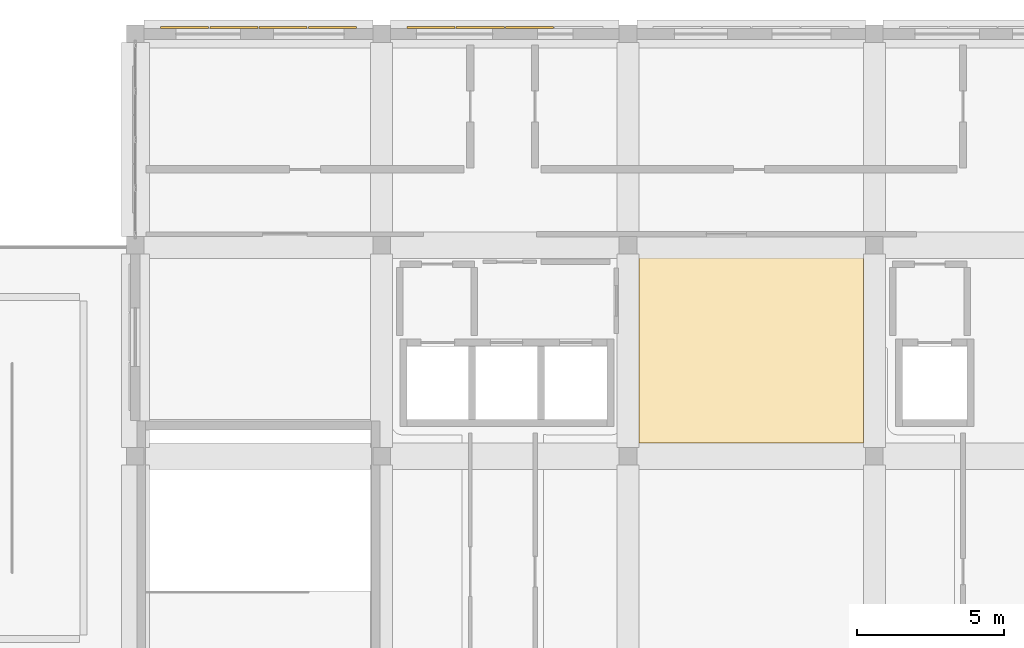
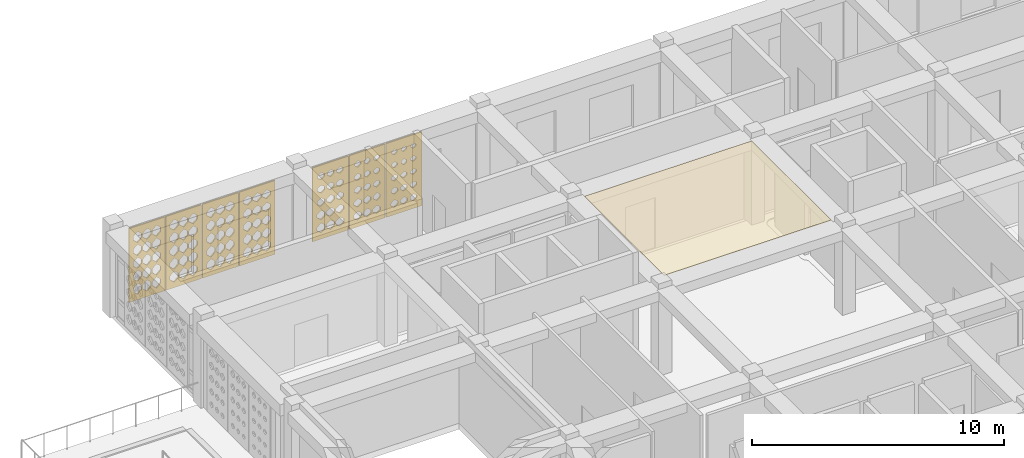
# One storey, part 25 of 28: 8 coverings.
"""IFC4 building model written with IfcOpenShell, lengths in metres."""

from ifc_helpers import new_model, si_unit, derived_unit, direction, frame, origin, place, context, subcontext, project, spatial, polyline, outline, extrude, material, layer, layer_set, type_object, element, save


model = new_model("IFC4")

# Units and contexts
model_context = context("Model", 3, precision=1e-05, world=origin(), true_north=direction((0.0, 1.0)))
body_context = subcontext(model_context, "Body", "Model", "MODEL_VIEW")
ifc_project = project(units=[si_unit("LENGTHUNIT", "METRE"), si_unit("AREAUNIT", "SQUARE_METRE"), si_unit("VOLUMEUNIT", "CUBIC_METRE"), si_unit("PLANEANGLEUNIT", "RADIAN"), si_unit("MASSUNIT", "GRAM", prefix="KILO"), derived_unit("THERMALTRANSMITTANCEUNIT", [(si_unit("POWERUNIT", "WATT"), 1), (si_unit("LENGTHUNIT", "METRE"), -2), (si_unit("THERMODYNAMICTEMPERATUREUNIT", "KELVIN"), -1)])], contexts=[model_context])

# Site, building, storey
site_placement = place(None, origin())
site = spatial("IfcSite", under=ifc_project, at=site_placement, CompositionType="ELEMENT")
building_placement = place(site_placement, origin())
building = spatial("IfcBuilding", under=site, at=building_placement, Name="Veybourne Emporium", CompositionType="ELEMENT")
storey_placement = place(building_placement, frame((0.0, 0.0, 32.10009765625)))
storey = spatial("IfcBuildingStorey", under=building, at=storey_placement, Name="L07", CompositionType="ELEMENT", Elevation=32.10009765625)

# Coverings
ifc_material_1 = material(Name="Mineral Acoustic Ceiling", Category="gypsum")
ifc_layer_1 = layer(ifc_material_1, 0.02490234375)
ifc_layer_set_1 = layer_set([ifc_layer_1], Name="Mineral Acoustic Ceiling")
covering_type_1 = type_object("IfcCoveringType", Name="Ceiling_CLG-01", PredefinedType="CEILING", material=ifc_layer_set_1)
covering_1_placement = place(storey_placement, frame((0.0, 0.0, 4.21484375)))
element("IfcCovering", 1, at=covering_1_placement, inside=storey, type_object=covering_type_1, Name="L07 coffered acoustic ceiling 05", PredefinedType="CEILING", context=body_context, shape_type="SweptSolid", body=[
    extrude(outline(polyline([(25.572998046875, 42.751953125), (33.22705078125, 42.751953125), (33.22705078125, 36.447998046875), (25.572998046875, 36.447998046875), (25.572998046875, 42.751953125)])), origin(), (0.0, 0.0, 1.0), 0.025146484375),
])
ifc_material_2 = material(Name="Warm-White Perforated Aluminium Screen Alloy", Category="aluminium")
ifc_layer_2 = layer(ifc_material_2, 0.06005859375)
ifc_layer_set_2 = layer_set([ifc_layer_2], Name="Warm-White Perforated Aluminium Screen Alloy")
covering_type_2 = type_object("IfcCoveringType", Name="WaveScreen_SCR-01", PredefinedType="CLADDING", material=ifc_layer_set_2)
covering_2_placement = place(storey_placement, frame((13.43994140625, 50.64794921875, 1.844970703125), z_axis=(0.0, -1.0, 0.0), x_axis=(1.0, 0.0, 0.0)))
element("IfcCovering", 2, at=covering_2_placement, inside=storey, type_object=covering_type_2, Name="L07 wave-perforated aluminium screen SCR-01 (6.3)", PredefinedType="CLADDING", context=body_context, shape_type="SweptSolid", body=[
    extrude(outline(polyline([(-0.81982421875, -1.78515625), (0.81982421875, -1.78515625), (0.81982421875, 1.78515625), (-0.81982421875, 1.78515625), (-0.81982421875, -1.78515625)]), holes=[polyline([(-0.433349609375, -0.98291015625), (-0.2470703125, -1.155029296875), (-0.2470703125, -1.348876953125), (-0.433349609375, -1.521240234375), (-0.61962890625, -1.348876953125), (-0.61962890625, -1.155029296875), (-0.433349609375, -0.98291015625)]), polyline([(-0.433349609375, -0.356689453125), (-0.2470703125, -0.529052734375), (-0.2470703125, -0.722900390625), (-0.433349609375, -0.895263671875), (-0.61962890625, -0.722900390625), (-0.61962890625, -0.529052734375), (-0.433349609375, -0.356689453125)]), polyline([(-0.433349609375, 0.263427734375), (-0.2470703125, 0.0947265625), (-0.2470703125, -0.0947265625), (-0.433349609375, -0.263427734375), (-0.61962890625, -0.0947265625), (-0.61962890625, 0.0947265625), (-0.433349609375, 0.263427734375)]), polyline([(-0.433349609375, 0.881103515625), (-0.2470703125, 0.7177734375), (-0.2470703125, 0.5341796875), (-0.433349609375, 0.37109375), (-0.61962890625, 0.5341796875), (-0.61962890625, 0.7177734375), (-0.433349609375, 0.881103515625)]), polyline([(-0.433349609375, 1.49658203125), (-0.2470703125, 1.340087890625), (-0.2470703125, 1.163818359375), (-0.433349609375, 1.00732421875), (-0.61962890625, 1.163818359375), (-0.61962890625, 1.340087890625), (-0.433349609375, 1.49658203125)]), polyline([(0.0, -0.98291015625), (0.186279296875, -1.155029296875), (0.186279296875, -1.348876953125), (0.0, -1.521240234375), (-0.186279296875, -1.348876953125), (-0.186279296875, -1.155029296875), (0.0, -0.98291015625)]), polyline([(0.0, -0.35888671875), (0.186279296875, -0.52978515625), (0.186279296875, -0.72216796875), (0.0, -0.893310546875), (-0.186279296875, -0.72216796875), (-0.186279296875, -0.52978515625), (0.0, -0.35888671875)]), polyline([(0.0, 0.260009765625), (0.186279296875, 0.093505859375), (0.186279296875, -0.093505859375), (0.0, -0.260009765625), (-0.186279296875, -0.093505859375), (-0.186279296875, 0.093505859375), (0.0, 0.260009765625)]), polyline([(0.0, 0.876708984375), (0.186279296875, 0.71630859375), (0.186279296875, 0.535888671875), (0.0, 0.37548828125), (-0.186279296875, 0.535888671875), (-0.186279296875, 0.71630859375), (0.0, 0.876708984375)]), polyline([(0.0, 1.491455078125), (0.186279296875, 1.338134765625), (0.186279296875, 1.165771484375), (0.0, 1.012451171875), (-0.186279296875, 1.165771484375), (-0.186279296875, 1.338134765625), (0.0, 1.491455078125)]), polyline([(0.433349609375, -0.98291015625), (0.61962890625, -1.155029296875), (0.61962890625, -1.348876953125), (0.433349609375, -1.521240234375), (0.2470703125, -1.348876953125), (0.2470703125, -1.155029296875), (0.433349609375, -0.98291015625)]), polyline([(0.433349609375, -0.36181640625), (0.61962890625, -0.531005859375), (0.61962890625, -0.72119140625), (0.433349609375, -0.89013671875), (0.2470703125, -0.72119140625), (0.2470703125, -0.531005859375), (0.433349609375, -0.36181640625)]), polyline([(0.433349609375, 0.256103515625), (0.61962890625, 0.09228515625), (0.61962890625, -0.09228515625), (0.433349609375, -0.256103515625), (0.2470703125, -0.09228515625), (0.2470703125, 0.09228515625), (0.433349609375, 0.256103515625)]), polyline([(0.433349609375, 0.871826171875), (0.61962890625, 0.714599609375), (0.61962890625, 0.53759765625), (0.433349609375, 0.380126953125), (0.2470703125, 0.53759765625), (0.2470703125, 0.714599609375), (0.433349609375, 0.871826171875)]), polyline([(0.433349609375, 1.486083984375), (0.61962890625, 1.336181640625), (0.61962890625, 1.167724609375), (0.433349609375, 1.01806640625), (0.2470703125, 1.167724609375), (0.2470703125, 1.336181640625), (0.433349609375, 1.486083984375)])]), origin(), (0.0, 0.0, 1.0), 0.06005859375),
])
covering_3_placement = place(storey_placement, frame((21.840087890625, 50.64794921875, 1.844970703125), z_axis=(0.0, -1.0, 0.0), x_axis=(1.0, 0.0, 0.0)))
element("IfcCovering", 3, at=covering_3_placement, inside=storey, type_object=covering_type_2, Name="L07 wave-perforated aluminium screen SCR-01 (10.3)", PredefinedType="CLADDING", context=body_context, shape_type="SweptSolid", body=[
    extrude(outline(polyline([(-0.81982421875, -1.78515625), (0.81982421875, -1.78515625), (0.81982421875, 1.78515625), (-0.81982421875, 1.78515625), (-0.81982421875, -1.78515625)]), holes=[polyline([(-0.433349609375, -1.070068359375), (-0.2744140625, -1.1865234375), (-0.2744140625, -1.3173828125), (-0.433349609375, -1.43408203125), (-0.59228515625, -1.3173828125), (-0.59228515625, -1.1865234375), (-0.433349609375, -1.070068359375)]), polyline([(-0.433349609375, -0.4580078125), (-0.285888671875, -0.565673828125), (-0.285888671875, -0.686279296875), (-0.433349609375, -0.7939453125), (-0.580810546875, -0.686279296875), (-0.580810546875, -0.565673828125), (-0.433349609375, -0.4580078125)]), polyline([(-0.433349609375, 0.154541015625), (-0.296875, 0.0556640625), (-0.296875, -0.0556640625), (-0.433349609375, -0.154541015625), (-0.56982421875, -0.0556640625), (-0.56982421875, 0.0556640625), (-0.433349609375, 0.154541015625)]), polyline([(-0.433349609375, 0.768310546875), (-0.306884765625, 0.67724609375), (-0.306884765625, 0.57470703125), (-0.433349609375, 0.483642578125), (-0.559814453125, 0.57470703125), (-0.559814453125, 0.67724609375), (-0.433349609375, 0.768310546875)]), polyline([(-0.433349609375, 1.3837890625), (-0.315673828125, 1.29931640625), (-0.315673828125, 1.20458984375), (-0.433349609375, 1.120361328125), (-0.551025390625, 1.20458984375), (-0.551025390625, 1.29931640625), (-0.433349609375, 1.3837890625)]), polyline([(0.0, -1.076416015625), (0.15380859375, -1.188720703125), (0.15380859375, -1.315185546875), (0.0, -1.427734375), (-0.15380859375, -1.315185546875), (-0.15380859375, -1.188720703125), (0.0, -1.076416015625)]), polyline([(0.0, -0.464111328125), (0.142333984375, -0.567626953125), (0.142333984375, -0.684326171875), (0.0, -0.787841796875), (-0.142333984375, -0.684326171875), (-0.142333984375, -0.567626953125), (0.0, -0.464111328125)]), polyline([(0.0, 0.14892578125), (0.1318359375, 0.0537109375), (0.1318359375, -0.0537109375), (0.0, -0.14892578125), (-0.1318359375, -0.0537109375), (-0.1318359375, 0.0537109375), (0.0, 0.14892578125)]), polyline([(0.0, 0.763427734375), (0.122314453125, 0.675537109375), (0.122314453125, 0.576416015625), (0.0, 0.488525390625), (-0.122314453125, 0.576416015625), (-0.122314453125, 0.675537109375), (0.0, 0.763427734375)]), polyline([(0.0, 1.37939453125), (0.114501953125, 1.2978515625), (0.114501953125, 1.2060546875), (0.0, 1.12451171875), (-0.114501953125, 1.2060546875), (-0.114501953125, 1.2978515625), (0.0, 1.37939453125)]), polyline([(0.433349609375, -1.08251953125), (0.58203125, -1.19091796875), (0.58203125, -1.31298828125), (0.433349609375, -1.42138671875), (0.28466796875, -1.31298828125), (0.28466796875, -1.19091796875), (0.433349609375, -1.08251953125)]), polyline([(0.433349609375, -0.469970703125), (0.571044921875, -0.56982421875), (0.571044921875, -0.68212890625), (0.433349609375, -0.781982421875), (0.295654296875, -0.68212890625), (0.295654296875, -0.56982421875), (0.433349609375, -0.469970703125)]), polyline([(0.433349609375, 0.1435546875), (0.560791015625, 0.0517578125), (0.560791015625, -0.0517578125), (0.433349609375, -0.1435546875), (0.305908203125, -0.0517578125), (0.305908203125, 0.0517578125), (0.433349609375, 0.1435546875)]), polyline([(0.433349609375, 0.7587890625), (0.552001953125, 0.673828125), (0.552001953125, 0.578125), (0.433349609375, 0.4931640625), (0.314697265625, 0.578125), (0.314697265625, 0.673828125), (0.433349609375, 0.7587890625)]), polyline([(0.433349609375, 1.375732421875), (0.544677734375, 1.296630859375), (0.544677734375, 1.20751953125), (0.433349609375, 1.128173828125), (0.322021484375, 1.20751953125), (0.322021484375, 1.296630859375), (0.433349609375, 1.375732421875)])]), origin(), (0.0, 0.0, 1.0), 0.06005859375),
])
ifc_layer_3 = layer(ifc_material_2, 0.06005859375)
ifc_layer_set_3 = layer_set([ifc_layer_3], Name="Warm-White Perforated Aluminium Screen Alloy")
covering_type_3 = type_object("IfcCoveringType", Name="WaveScreen_SCR-02", PredefinedType="CLADDING", material=ifc_layer_set_3)
covering_4_placement = place(storey_placement, frame((15.1201171875, 50.64794921875, 1.844970703125), z_axis=(0.0, -1.0, 0.0), x_axis=(1.0, 0.0, 0.0)))
element("IfcCovering", 4, at=covering_4_placement, inside=storey, type_object=covering_type_3, Name="L07 wave-perforated aluminium screen SCR-02 (6.4)", PredefinedType="CLADDING", context=body_context, shape_type="SweptSolid", body=[
    extrude(outline(polyline([(-0.81982421875, -1.78515625), (0.81982421875, -1.78515625), (0.81982421875, 1.78515625), (-0.81982421875, 1.78515625), (-0.81982421875, -1.78515625)]), holes=[polyline([(-0.433349609375, -0.98681640625), (-0.2470703125, -1.156494140625), (-0.2470703125, -1.347412109375), (-0.433349609375, -1.517333984375), (-0.61962890625, -1.347412109375), (-0.61962890625, -1.156494140625), (-0.433349609375, -0.98681640625)]), polyline([(-0.433349609375, -0.368408203125), (-0.2470703125, -0.533203125), (-0.2470703125, -0.71875), (-0.433349609375, -0.883544921875), (-0.61962890625, -0.71875), (-0.61962890625, -0.533203125), (-0.433349609375, -0.368408203125)]), polyline([(-0.433349609375, 0.24755859375), (-0.2470703125, 0.089111328125), (-0.2470703125, -0.089111328125), (-0.433349609375, -0.24755859375), (-0.61962890625, -0.089111328125), (-0.61962890625, 0.089111328125), (-0.433349609375, 0.24755859375)]), polyline([(-0.433349609375, 0.862060546875), (-0.2470703125, 0.7109375), (-0.2470703125, 0.541015625), (-0.433349609375, 0.389892578125), (-0.61962890625, 0.541015625), (-0.61962890625, 0.7109375), (-0.433349609375, 0.862060546875)]), polyline([(-0.433349609375, 1.47509765625), (-0.2470703125, 1.332275390625), (-0.2470703125, 1.171630859375), (-0.433349609375, 1.02880859375), (-0.61962890625, 1.171630859375), (-0.61962890625, 1.332275390625), (-0.433349609375, 1.47509765625)]), polyline([(0.0, -0.989990234375), (0.186279296875, -1.15771484375), (0.186279296875, -1.346435546875), (0.0, -1.51416015625), (-0.186279296875, -1.346435546875), (-0.186279296875, -1.15771484375), (0.0, -0.989990234375)]), polyline([(0.0, -0.372802734375), (0.186279296875, -0.534912109375), (0.186279296875, -0.71728515625), (0.0, -0.87939453125), (-0.186279296875, -0.71728515625), (-0.186279296875, -0.534912109375), (0.0, -0.372802734375)]), polyline([(0.0, 0.24267578125), (0.186279296875, 0.08740234375), (0.186279296875, -0.08740234375), (0.0, -0.24267578125), (-0.186279296875, -0.08740234375), (-0.186279296875, 0.08740234375), (0.0, 0.24267578125)]), polyline([(0.0, 0.8564453125), (0.186279296875, 0.708984375), (0.186279296875, 0.54296875), (0.0, 0.3955078125), (-0.186279296875, 0.54296875), (-0.186279296875, 0.708984375), (0.0, 0.8564453125)]), polyline([(0.0, 1.468994140625), (0.186279296875, 1.330078125), (0.186279296875, 1.173828125), (0.0, 1.034912109375), (-0.186279296875, 1.173828125), (-0.186279296875, 1.330078125), (0.0, 1.468994140625)]), polyline([(0.433349609375, -0.99365234375), (0.61962890625, -1.158935546875), (0.61962890625, -1.344970703125), (0.433349609375, -1.510498046875), (0.2470703125, -1.344970703125), (0.2470703125, -1.158935546875), (0.433349609375, -0.99365234375)]), polyline([(0.433349609375, -0.377197265625), (0.61962890625, -0.536376953125), (0.61962890625, -0.715576171875), (0.433349609375, -0.874755859375), (0.2470703125, -0.715576171875), (0.2470703125, -0.536376953125), (0.433349609375, -0.377197265625)]), polyline([(0.433349609375, 0.2373046875), (0.61962890625, 0.08544921875), (0.61962890625, -0.08544921875), (0.433349609375, -0.2373046875), (0.2470703125, -0.08544921875), (0.2470703125, 0.08544921875), (0.433349609375, 0.2373046875)]), polyline([(0.433349609375, 0.8505859375), (0.61962890625, 0.706787109375), (0.61962890625, 0.545166015625), (0.433349609375, 0.4013671875), (0.2470703125, 0.545166015625), (0.2470703125, 0.706787109375), (0.433349609375, 0.8505859375)]), polyline([(0.433349609375, 1.462890625), (0.615966796875, 1.327880859375), (0.615966796875, 1.176025390625), (0.433349609375, 1.041015625), (0.250732421875, 1.176025390625), (0.250732421875, 1.327880859375), (0.433349609375, 1.462890625)])]), origin(), (0.0, 0.0, 1.0), 0.06005859375),
])
ifc_layer_4 = layer(ifc_material_2, 0.06005859375)
ifc_layer_set_4 = layer_set([ifc_layer_4], Name="Warm-White Perforated Aluminium Screen Alloy")
covering_type_4 = type_object("IfcCoveringType", Name="WaveScreen_SCR-03", PredefinedType="CLADDING", material=ifc_layer_set_4)
covering_5_placement = place(storey_placement, frame((10.080078125, 50.64794921875, 1.844970703125), z_axis=(0.0, -1.0, 0.0), x_axis=(1.0, 0.0, 0.0)))
element("IfcCovering", 5, at=covering_5_placement, inside=storey, type_object=covering_type_4, Name="L07 wave-perforated aluminium screen SCR-03 (6.1)", PredefinedType="CLADDING", context=body_context, shape_type="SweptSolid", body=[
    extrude(outline(polyline([(-0.81982421875, -1.78515625), (0.81982421875, -1.78515625), (0.81982421875, 1.78515625), (-0.81982421875, 1.78515625), (-0.81982421875, -1.78515625)]), holes=[polyline([(-0.433349609375, -0.984130859375), (-0.2470703125, -1.155517578125), (-0.2470703125, -1.348388671875), (-0.433349609375, -1.52001953125), (-0.61962890625, -1.348388671875), (-0.61962890625, -1.155517578125), (-0.433349609375, -0.984130859375)]), polyline([(-0.433349609375, -0.356689453125), (-0.2470703125, -0.529052734375), (-0.2470703125, -0.722900390625), (-0.433349609375, -0.895263671875), (-0.61962890625, -0.722900390625), (-0.61962890625, -0.529052734375), (-0.433349609375, -0.356689453125)]), polyline([(-0.433349609375, 0.269287109375), (-0.2470703125, 0.096923828125), (-0.2470703125, -0.096923828125), (-0.433349609375, -0.269287109375), (-0.61962890625, -0.096923828125), (-0.61962890625, 0.096923828125), (-0.433349609375, 0.269287109375)]), polyline([(-0.433349609375, 0.895263671875), (-0.2470703125, 0.722900390625), (-0.2470703125, 0.529052734375), (-0.433349609375, 0.356689453125), (-0.61962890625, 0.529052734375), (-0.61962890625, 0.722900390625), (-0.433349609375, 0.895263671875)]), polyline([(-0.433349609375, 1.521240234375), (-0.2470703125, 1.348876953125), (-0.2470703125, 1.155029296875), (-0.433349609375, 0.98291015625), (-0.61962890625, 1.155029296875), (-0.61962890625, 1.348876953125), (-0.433349609375, 1.521240234375)]), polyline([(0.0, -0.98291015625), (0.186279296875, -1.155029296875), (0.186279296875, -1.348876953125), (0.0, -1.521240234375), (-0.186279296875, -1.348876953125), (-0.186279296875, -1.155029296875), (0.0, -0.98291015625)]), polyline([(0.0, -0.356689453125), (0.186279296875, -0.529052734375), (0.186279296875, -0.722900390625), (0.0, -0.895263671875), (-0.186279296875, -0.722900390625), (-0.186279296875, -0.529052734375), (0.0, -0.356689453125)]), polyline([(0.0, 0.269287109375), (0.186279296875, 0.096923828125), (0.186279296875, -0.096923828125), (0.0, -0.269287109375), (-0.186279296875, -0.096923828125), (-0.186279296875, 0.096923828125), (0.0, 0.269287109375)]), polyline([(0.0, 0.895263671875), (0.186279296875, 0.722900390625), (0.186279296875, 0.529052734375), (0.0, 0.356689453125), (-0.186279296875, 0.529052734375), (-0.186279296875, 0.722900390625), (0.0, 0.895263671875)]), polyline([(0.0, 1.521240234375), (0.186279296875, 1.348876953125), (0.186279296875, 1.155029296875), (0.0, 0.98291015625), (-0.186279296875, 1.155029296875), (-0.186279296875, 1.348876953125), (0.0, 1.521240234375)]), polyline([(0.433349609375, -0.98291015625), (0.61962890625, -1.155029296875), (0.61962890625, -1.348876953125), (0.433349609375, -1.521240234375), (0.2470703125, -1.348876953125), (0.2470703125, -1.155029296875), (0.433349609375, -0.98291015625)]), polyline([(0.433349609375, -0.356689453125), (0.61962890625, -0.529052734375), (0.61962890625, -0.722900390625), (0.433349609375, -0.895263671875), (0.2470703125, -0.722900390625), (0.2470703125, -0.529052734375), (0.433349609375, -0.356689453125)]), polyline([(0.433349609375, 0.269287109375), (0.61962890625, 0.096923828125), (0.61962890625, -0.096923828125), (0.433349609375, -0.269287109375), (0.2470703125, -0.096923828125), (0.2470703125, 0.096923828125), (0.433349609375, 0.269287109375)]), polyline([(0.433349609375, 0.895263671875), (0.61962890625, 0.722900390625), (0.61962890625, 0.529052734375), (0.433349609375, 0.356689453125), (0.2470703125, 0.529052734375), (0.2470703125, 0.722900390625), (0.433349609375, 0.895263671875)]), polyline([(0.433349609375, 1.519287109375), (0.61962890625, 1.34814453125), (0.61962890625, 1.15576171875), (0.433349609375, 0.98486328125), (0.2470703125, 1.15576171875), (0.2470703125, 1.34814453125), (0.433349609375, 1.519287109375)])]), origin(), (0.0, 0.0, 1.0), 0.06005859375),
])
covering_6_placement = place(storey_placement, frame((18.47998046875, 50.64794921875, 1.844970703125), z_axis=(0.0, -1.0, 0.0), x_axis=(1.0, 0.0, 0.0)))
element("IfcCovering", 6, at=covering_6_placement, inside=storey, type_object=covering_type_4, Name="L07 wave-perforated aluminium screen SCR-03 (10.1)", PredefinedType="CLADDING", context=body_context, shape_type="SweptSolid", body=[
    extrude(outline(polyline([(-0.81982421875, -1.78515625), (0.81982421875, -1.78515625), (0.81982421875, 1.78515625), (-0.81982421875, 1.78515625), (-0.81982421875, -1.78515625)]), holes=[polyline([(-0.433349609375, -1.021484375), (-0.2470703125, -1.169189453125), (-0.2470703125, -1.3349609375), (-0.433349609375, -1.482421875), (-0.61962890625, -1.3349609375), (-0.61962890625, -1.169189453125), (-0.433349609375, -1.021484375)]), polyline([(-0.433349609375, -0.408935546875), (-0.2470703125, -0.5478515625), (-0.2470703125, -0.7041015625), (-0.433349609375, -0.843017578125), (-0.61962890625, -0.7041015625), (-0.61962890625, -0.5478515625), (-0.433349609375, -0.408935546875)]), polyline([(-0.433349609375, 0.202880859375), (-0.25732421875, 0.072998046875), (-0.25732421875, -0.072998046875), (-0.433349609375, -0.202880859375), (-0.609375, -0.072998046875), (-0.609375, 0.072998046875), (-0.433349609375, 0.202880859375)]), polyline([(-0.433349609375, 0.814453125), (-0.26904296875, 0.69384765625), (-0.26904296875, 0.55810546875), (-0.433349609375, 0.4375), (-0.59765625, 0.55810546875), (-0.59765625, 0.69384765625), (-0.433349609375, 0.814453125)]), polyline([(-0.433349609375, 1.42626953125), (-0.28076171875, 1.314697265625), (-0.28076171875, 1.189208984375), (-0.433349609375, 1.077880859375), (-0.5859375, 1.189208984375), (-0.5859375, 1.314697265625), (-0.433349609375, 1.42626953125)]), polyline([(0.0, -1.02734375), (0.186279296875, -1.171142578125), (0.186279296875, -1.3330078125), (0.0, -1.4765625), (-0.186279296875, -1.3330078125), (-0.186279296875, -1.171142578125), (0.0, -1.02734375)]), polyline([(0.0, -0.415283203125), (0.1826171875, -0.550048828125), (0.1826171875, -0.701904296875), (0.0, -0.8369140625), (-0.1826171875, -0.701904296875), (-0.1826171875, -0.550048828125), (0.0, -0.415283203125)]), polyline([(0.0, 0.196533203125), (0.1708984375, 0.07080078125), (0.1708984375, -0.07080078125), (0.0, -0.196533203125), (-0.1708984375, -0.07080078125), (-0.1708984375, 0.07080078125), (0.0, 0.196533203125)]), polyline([(0.0, 0.80810546875), (0.158935546875, 0.691650390625), (0.158935546875, 0.560302734375), (0.0, 0.44384765625), (-0.158935546875, 0.560302734375), (-0.158935546875, 0.691650390625), (0.0, 0.80810546875)]), polyline([(0.0, 1.419921875), (0.1474609375, 1.3125), (0.1474609375, 1.19140625), (0.0, 1.083984375), (-0.1474609375, 1.19140625), (-0.1474609375, 1.3125), (0.0, 1.419921875)]), polyline([(0.433349609375, -1.033447265625), (0.61962890625, -1.17333984375), (0.61962890625, -1.330810546875), (0.433349609375, -1.470703125), (0.2470703125, -1.330810546875), (0.2470703125, -1.17333984375), (0.433349609375, -1.033447265625)]), polyline([(0.433349609375, -0.42138671875), (0.610595703125, -0.552490234375), (0.610595703125, -0.69970703125), (0.433349609375, -0.83056640625), (0.256103515625, -0.69970703125), (0.256103515625, -0.552490234375), (0.433349609375, -0.42138671875)]), polyline([(0.433349609375, 0.190185546875), (0.598876953125, 0.068359375), (0.598876953125, -0.068359375), (0.433349609375, -0.190185546875), (0.267822265625, -0.068359375), (0.267822265625, 0.068359375), (0.433349609375, 0.190185546875)]), polyline([(0.433349609375, 0.8017578125), (0.587158203125, 0.689208984375), (0.587158203125, 0.562744140625), (0.433349609375, 0.4501953125), (0.279541015625, 0.562744140625), (0.279541015625, 0.689208984375), (0.433349609375, 0.8017578125)]), polyline([(0.433349609375, 1.413818359375), (0.57568359375, 1.310302734375), (0.57568359375, 1.193603515625), (0.433349609375, 1.090087890625), (0.290771484375, 1.193603515625), (0.290771484375, 1.310302734375), (0.433349609375, 1.413818359375)])]), origin(), (0.0, 0.0, 1.0), 0.06005859375),
])
ifc_layer_5 = layer(ifc_material_2, 0.06005859375)
ifc_layer_set_5 = layer_set([ifc_layer_5], Name="Warm-White Perforated Aluminium Screen Alloy")
covering_type_5 = type_object("IfcCoveringType", Name="WaveScreen_SCR-04", PredefinedType="CLADDING", material=ifc_layer_set_5)
covering_7_placement = place(storey_placement, frame((11.760009765625, 50.64794921875, 1.844970703125), z_axis=(0.0, -1.0, 0.0), x_axis=(1.0, 0.0, 0.0)))
element("IfcCovering", 7, at=covering_7_placement, inside=storey, type_object=covering_type_5, Name="L07 wave-perforated aluminium screen SCR-04 (6.2)", PredefinedType="CLADDING", context=body_context, shape_type="SweptSolid", body=[
    extrude(outline(polyline([(-0.81982421875, -1.78515625), (0.81982421875, -1.78515625), (0.81982421875, 1.78515625), (-0.81982421875, 1.78515625), (-0.81982421875, -1.78515625)]), holes=[polyline([(-0.433349609375, -0.98291015625), (-0.2470703125, -1.155029296875), (-0.2470703125, -1.348876953125), (-0.433349609375, -1.521240234375), (-0.61962890625, -1.348876953125), (-0.61962890625, -1.155029296875), (-0.433349609375, -0.98291015625)]), polyline([(-0.433349609375, -0.356689453125), (-0.2470703125, -0.529052734375), (-0.2470703125, -0.722900390625), (-0.433349609375, -0.895263671875), (-0.61962890625, -0.722900390625), (-0.61962890625, -0.529052734375), (-0.433349609375, -0.356689453125)]), polyline([(-0.433349609375, 0.269287109375), (-0.2470703125, 0.096923828125), (-0.2470703125, -0.096923828125), (-0.433349609375, -0.269287109375), (-0.61962890625, -0.096923828125), (-0.61962890625, 0.096923828125), (-0.433349609375, 0.269287109375)]), polyline([(-0.433349609375, 0.894287109375), (-0.2470703125, 0.722412109375), (-0.2470703125, 0.529541015625), (-0.433349609375, 0.35791015625), (-0.61962890625, 0.529541015625), (-0.61962890625, 0.722412109375), (-0.433349609375, 0.894287109375)]), polyline([(-0.433349609375, 1.51318359375), (-0.2470703125, 1.34619140625), (-0.2470703125, 1.157958984375), (-0.433349609375, 0.99072265625), (-0.61962890625, 1.157958984375), (-0.61962890625, 1.34619140625), (-0.433349609375, 1.51318359375)]), polyline([(0.0, -0.98291015625), (0.186279296875, -1.155029296875), (0.186279296875, -1.348876953125), (0.0, -1.521240234375), (-0.186279296875, -1.348876953125), (-0.186279296875, -1.155029296875), (0.0, -0.98291015625)]), polyline([(0.0, -0.356689453125), (0.186279296875, -0.529052734375), (0.186279296875, -0.722900390625), (0.0, -0.895263671875), (-0.186279296875, -0.722900390625), (-0.186279296875, -0.529052734375), (0.0, -0.356689453125)]), polyline([(0.0, 0.269287109375), (0.186279296875, 0.096923828125), (0.186279296875, -0.096923828125), (0.0, -0.269287109375), (-0.186279296875, -0.096923828125), (-0.186279296875, 0.096923828125), (0.0, 0.269287109375)]), polyline([(0.0, 0.891357421875), (0.186279296875, 0.721435546875), (0.186279296875, 0.530517578125), (0.0, 0.360595703125), (-0.186279296875, 0.530517578125), (-0.186279296875, 0.721435546875), (0.0, 0.891357421875)]), polyline([(0.0, 1.509521484375), (0.186279296875, 1.3447265625), (0.186279296875, 1.1591796875), (0.0, 0.994384765625), (-0.186279296875, 1.1591796875), (-0.186279296875, 1.3447265625), (0.0, 1.509521484375)]), polyline([(0.433349609375, -0.98291015625), (0.61962890625, -1.155029296875), (0.61962890625, -1.348876953125), (0.433349609375, -1.521240234375), (0.2470703125, -1.348876953125), (0.2470703125, -1.155029296875), (0.433349609375, -0.98291015625)]), polyline([(0.433349609375, -0.356689453125), (0.61962890625, -0.529052734375), (0.61962890625, -0.722900390625), (0.433349609375, -0.895263671875), (0.2470703125, -0.722900390625), (0.2470703125, -0.529052734375), (0.433349609375, -0.356689453125)]), polyline([(0.433349609375, 0.268798828125), (0.61962890625, 0.0966796875), (0.61962890625, -0.0966796875), (0.433349609375, -0.268798828125), (0.2470703125, -0.0966796875), (0.2470703125, 0.0966796875), (0.433349609375, 0.268798828125)]), polyline([(0.433349609375, 0.88818359375), (0.61962890625, 0.720458984375), (0.61962890625, 0.531494140625), (0.433349609375, 0.36376953125), (0.2470703125, 0.531494140625), (0.2470703125, 0.720458984375), (0.433349609375, 0.88818359375)]), polyline([(0.433349609375, 1.50537109375), (0.61962890625, 1.34326171875), (0.61962890625, 1.160888671875), (0.433349609375, 0.99853515625), (0.2470703125, 1.160888671875), (0.2470703125, 1.34326171875), (0.433349609375, 1.50537109375)])]), origin(), (0.0, 0.0, 1.0), 0.06005859375),
])
covering_8_placement = place(storey_placement, frame((20.159912109375, 50.64794921875, 1.844970703125), z_axis=(0.0, -1.0, 0.0), x_axis=(1.0, 0.0, 0.0)))
element("IfcCovering", 8, at=covering_8_placement, inside=storey, type_object=covering_type_5, Name="L07 wave-perforated aluminium screen SCR-04 (10.2)", PredefinedType="CLADDING", context=body_context, shape_type="SweptSolid", body=[
    extrude(outline(polyline([(-0.81982421875, -1.78515625), (0.81982421875, -1.78515625), (0.81982421875, 1.78515625), (-0.81982421875, 1.78515625), (-0.81982421875, -1.78515625)]), holes=[polyline([(-0.433349609375, -1.045166015625), (-0.254150390625, -1.177490234375), (-0.254150390625, -1.326416015625), (-0.433349609375, -1.458984375), (-0.612548828125, -1.326416015625), (-0.612548828125, -1.177490234375), (-0.433349609375, -1.045166015625)]), polyline([(-0.433349609375, -0.43359375), (-0.265869140625, -0.556640625), (-0.265869140625, -0.6953125), (-0.433349609375, -0.818603515625), (-0.600830078125, -0.6953125), (-0.600830078125, -0.556640625), (-0.433349609375, -0.43359375)]), polyline([(-0.433349609375, 0.177978515625), (-0.277587890625, 0.064208984375), (-0.277587890625, -0.064208984375), (-0.433349609375, -0.177978515625), (-0.589111328125, -0.064208984375), (-0.589111328125, 0.064208984375), (-0.433349609375, 0.177978515625)]), polyline([(-0.433349609375, 0.790283203125), (-0.2890625, 0.68505859375), (-0.2890625, 0.56689453125), (-0.433349609375, 0.4619140625), (-0.57763671875, 0.56689453125), (-0.57763671875, 0.68505859375), (-0.433349609375, 0.790283203125)]), polyline([(-0.433349609375, 1.403076171875), (-0.2998046875, 1.306396484375), (-0.2998046875, 1.197509765625), (-0.433349609375, 1.100830078125), (-0.56689453125, 1.197509765625), (-0.56689453125, 1.306396484375), (-0.433349609375, 1.403076171875)]), polyline([(0.0, -1.051513671875), (0.174072265625, -1.1796875), (0.174072265625, -1.32421875), (0.0, -1.452392578125), (-0.174072265625, -1.32421875), (-0.174072265625, -1.1796875), (0.0, -1.051513671875)]), polyline([(0.0, -0.43994140625), (0.162109375, -0.55908203125), (0.162109375, -0.693115234375), (0.0, -0.81201171875), (-0.162109375, -0.693115234375), (-0.162109375, -0.55908203125), (0.0, -0.43994140625)]), polyline([(0.0, 0.171875), (0.150634765625, 0.06201171875), (0.150634765625, -0.06201171875), (0.0, -0.171875), (-0.150634765625, -0.06201171875), (-0.150634765625, 0.06201171875), (0.0, 0.171875)]), polyline([(0.0, 0.7841796875), (0.139404296875, 0.68310546875), (0.139404296875, 0.569091796875), (0.0, 0.4677734375), (-0.139404296875, 0.569091796875), (-0.139404296875, 0.68310546875), (0.0, 0.7841796875)]), polyline([(0.0, 1.397705078125), (0.129150390625, 1.304443359375), (0.129150390625, 1.19970703125), (0.0, 1.1064453125), (-0.129150390625, 1.19970703125), (-0.129150390625, 1.304443359375), (0.0, 1.397705078125)]), polyline([(0.433349609375, -1.057861328125), (0.60205078125, -1.18212890625), (0.60205078125, -1.322021484375), (0.433349609375, -1.446044921875), (0.264404296875, -1.322021484375), (0.264404296875, -1.18212890625), (0.433349609375, -1.057861328125)]), polyline([(0.433349609375, -0.4462890625), (0.59033203125, -0.561279296875), (0.59033203125, -0.690673828125), (0.433349609375, -0.8056640625), (0.2763671875, -0.690673828125), (0.2763671875, -0.561279296875), (0.433349609375, -0.4462890625)]), polyline([(0.433349609375, 0.165771484375), (0.578857421875, 0.0595703125), (0.578857421875, -0.0595703125), (0.433349609375, -0.165771484375), (0.287841796875, -0.0595703125), (0.287841796875, 0.0595703125), (0.433349609375, 0.165771484375)]), polyline([(0.433349609375, 0.778564453125), (0.568115234375, 0.680908203125), (0.568115234375, 0.571044921875), (0.433349609375, 0.473388671875), (0.298583984375, 0.571044921875), (0.298583984375, 0.680908203125), (0.433349609375, 0.778564453125)]), polyline([(0.433349609375, 1.392578125), (0.558349609375, 1.302490234375), (0.558349609375, 1.201416015625), (0.433349609375, 1.111572265625), (0.308349609375, 1.201416015625), (0.308349609375, 1.302490234375), (0.433349609375, 1.392578125)])]), origin(), (0.0, 0.0, 1.0), 0.06005859375),
])

save(model, "model.ifc")
